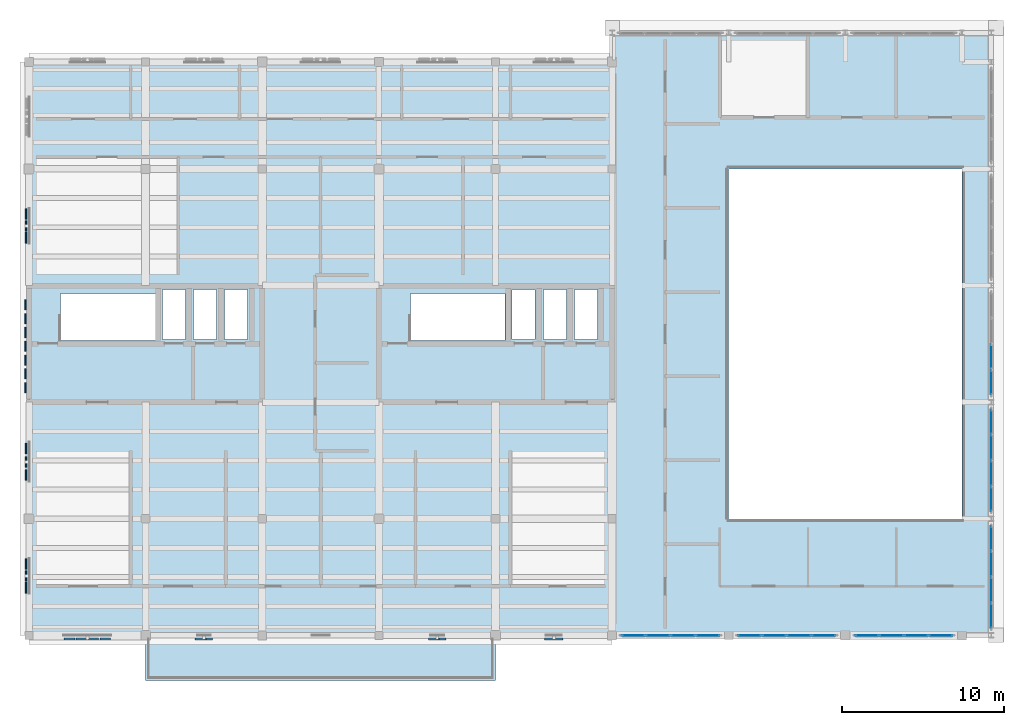
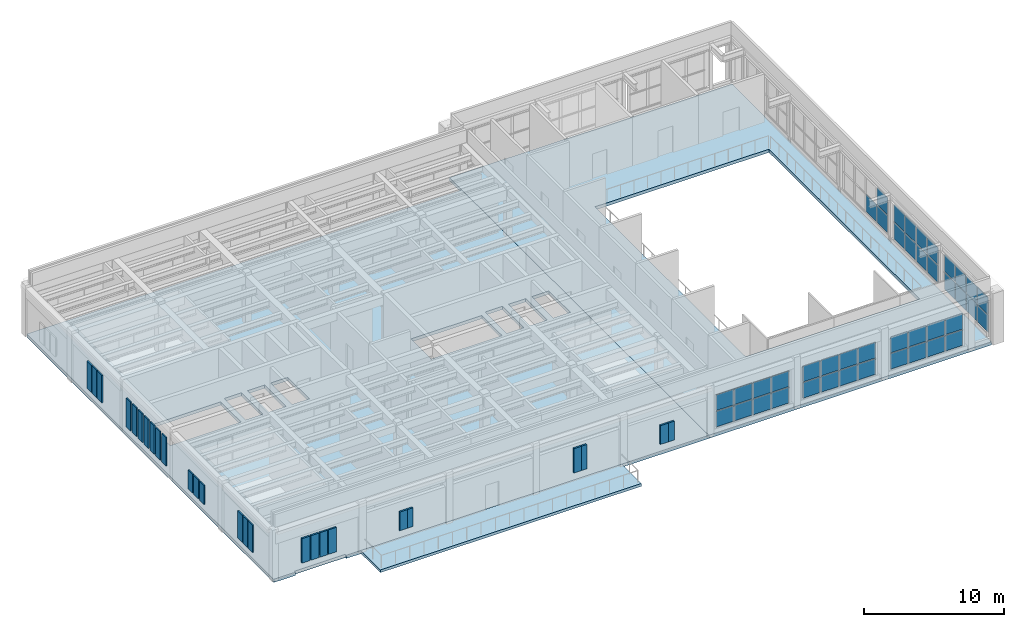
# One storey, part 11 of 18: 69 plates, 3 slabs, 6 elements without a shape of their own.
"""IFC4 building model written with IfcOpenShell, lengths in metres."""

import ifcopenshell
import ifcopenshell.guid

model = None  # the IFC model being written
_history = None  # IfcOwnerHistory: only IFC2X3 demands one
_inside = {}  # id of a spatial element -> (the spatial element, [elements in it])
_under = {}  # id of a project, library or spatial element -> (it, [spatial elements below it])
_declared = {}  # id of a project -> (the project, [libraries it declares])
_typed = {}  # id of a type object -> (the type object, [elements of that type])
_made_of = {}  # id of a material, layer set ... -> (it, [elements and type objects made of it])


def new_model(schema):
    """Start an empty IFC model of exactly this schema.

    Asked for "IFC4X3", IfcOpenShell would pick the latest addendum, in which some entities
    have other attributes; the version numbers below select the first issue.
    IFC2X3 requires an IfcOwnerHistory on every rooted entity: one is made here for all.
    """
    global model, _history
    if schema == "IFC4X3":
        model = ifcopenshell.file(schema_version=(4, 3, 0, 0))
    else:
        model = ifcopenshell.file(schema=schema)
    _inside.clear()
    _under.clear()
    _declared.clear()
    _typed.clear()
    _made_of.clear()
    _history = None
    if model.schema == "IFC2X3":
        org = make("IfcOrganization", Name="unknown")
        user = make(
            "IfcPersonAndOrganization",
            ThePerson=make("IfcPerson", FamilyName="unknown"),
            TheOrganization=org,
        )
        app = make(
            "IfcApplication",
            ApplicationDeveloper=org,
            Version="unknown",
            ApplicationFullName="unknown",
            ApplicationIdentifier="unknown",
        )
        _history = make(
            "IfcOwnerHistory",
            OwningUser=user,
            OwningApplication=app,
            ChangeAction="ADDED",
            CreationDate=0,
        )
    return model


def make(cls, **values):
    """One entity of the class cls with the attributes given. An attribute that is None is left unset."""
    return model.create_entity(
        cls, **{name: value for name, value in values.items() if value is not None}
    )


def rooted(cls, **values):
    """An entity with a GlobalId (a new one), such as an element, a storey or a relation."""
    return make(cls, GlobalId=ifcopenshell.guid.new(), OwnerHistory=_history, **values)


def si_unit(unit_type, name, prefix=None):
    """IfcSIUnit, for example si_unit("LENGTHUNIT", "METRE", prefix="MILLI")."""
    return make("IfcSIUnit", UnitType=unit_type, Prefix=prefix, Name=name)


def assignment(units):
    """IfcUnitAssignment: the units of a project."""
    return None if units is None else make("IfcUnitAssignment", Units=units)


def point(xyz):
    """IfcCartesianPoint."""
    return None if xyz is None else make("IfcCartesianPoint", Coordinates=xyz)


def direction(xyz):
    """IfcDirection."""
    return None if xyz is None else make("IfcDirection", DirectionRatios=xyz)


def frame(location, z_axis=None, x_axis=None):
    """IfcAxis2Placement3D, a coordinate frame: its origin and axes. An axis left out is left unset."""
    return make(
        "IfcAxis2Placement3D",
        Location=point(location),
        Axis=direction(z_axis),
        RefDirection=direction(x_axis),
    )


def frame_2d(location, x_axis=None):
    """IfcAxis2Placement2D, a coordinate frame in the plane: its origin and x axis."""
    return make(
        "IfcAxis2Placement2D", Location=point(location), RefDirection=direction(x_axis)
    )


def origin():
    """The frame at (0, 0, 0) with its axes left unset."""
    return frame((0.0, 0.0, 0.0))


def origin_2d():
    """The frame at (0, 0) in the plane with its x axis left unset."""
    return frame_2d((0.0, 0.0))


def place(relative_to, where):
    """IfcLocalPlacement: puts the frame where relative to a parent placement (None: the world)."""
    return make(
        "IfcLocalPlacement", PlacementRelTo=relative_to, RelativePlacement=where
    )


def context(
    kind, dimensions, precision=None, world=None, true_north=None, identifier=None
):
    """IfcGeometricRepresentationContext, for example the 3D "Model" context."""
    return make(
        "IfcGeometricRepresentationContext",
        ContextIdentifier=identifier,
        ContextType=kind,
        CoordinateSpaceDimension=dimensions,
        Precision=precision,
        WorldCoordinateSystem=world,
        TrueNorth=true_north,
    )


def subcontext(parent, identifier, kind, view, scale=None):
    """IfcGeometricRepresentationSubContext, for example "Body" below "Model"."""
    return make(
        "IfcGeometricRepresentationSubContext",
        ContextIdentifier=identifier,
        ContextType=kind,
        ParentContext=parent,
        TargetScale=scale,
        TargetView=view,
    )


def project(units=None, contexts=None):
    """IfcProject with its units and contexts."""
    return rooted(
        "IfcProject",
        Name="project",
        RepresentationContexts=contexts,
        UnitsInContext=assignment(units),
    )


def spatial(cls, under=None, at=None, **own):
    """A site, building, storey or space (cls), placed at a placement, below another one or the project."""
    s = rooted(cls, ObjectPlacement=at, **own)
    if under is not None:
        _under.setdefault(under.id(), (under, []))[1].append(s)
    return s


def polyline(points):
    """IfcPolyline through the points."""
    return make("IfcPolyline", Points=[point(p) for p in points])


def profile(cls, at=None, kind="AREA", **sizes):
    """A parametric profile (cls). Its sizes go by their IFC names, for example OverallWidth=200.0."""
    return make(cls, ProfileType=kind, Position=at, **sizes)


def rectangle(**sizes):
    """IfcRectangleProfileDef."""
    return profile("IfcRectangleProfileDef", **sizes)


def outline(outer, holes=None, kind="AREA"):
    """IfcArbitraryClosedProfileDef: a profile drawn as a closed curve; with holes, ...WithVoids."""
    if holes is None:
        return make("IfcArbitraryClosedProfileDef", ProfileType=kind, OuterCurve=outer)
    return make(
        "IfcArbitraryProfileDefWithVoids",
        ProfileType=kind,
        OuterCurve=outer,
        InnerCurves=holes,
    )


def extrude(swept, where, along, depth):
    """IfcExtrudedAreaSolid: the profile swept, set in the frame where, extruded along a direction by depth."""
    return make(
        "IfcExtrudedAreaSolid",
        SweptArea=swept,
        Position=where,
        ExtrudedDirection=direction(along),
        Depth=depth,
    )


def shape(context_of_items, identifier, shape_type, items):
    """IfcShapeRepresentation: the items that make up one representation, for example the "Body"."""
    return make(
        "IfcShapeRepresentation",
        ContextOfItems=context_of_items,
        RepresentationIdentifier=identifier,
        RepresentationType=shape_type,
        Items=items,
    )


def material(Name=None, Category=None):
    """IfcMaterial."""
    return make("IfcMaterial", Name=Name, Category=Category)


def layer(
    of_material, thickness, ventilated=None, Name=None, Category=None, Priority=None
):
    """IfcMaterialLayer: one layer of a wall or slab, of a material (None: an air gap)."""
    return make(
        "IfcMaterialLayer",
        Material=of_material,
        LayerThickness=thickness,
        IsVentilated=ventilated,
        Name=Name,
        Category=Category,
        Priority=Priority,
    )


def layer_set(layers, Name=None):
    """IfcMaterialLayerSet."""
    return make("IfcMaterialLayerSet", MaterialLayers=layers, LayerSetName=Name)


def made_of(thing, what):
    """Note that an element or type object is made of a material, layer set ...; save() writes the relation."""
    if what is not None:
        _made_of.setdefault(what.id(), (what, []))[1].append(thing)
    return thing


def type_object(cls, material=None, **own):
    """A type object (cls), such as IfcWallType, which elements share."""
    return made_of(rooted(cls, **own), material)


def element(
    cls,
    number,
    at=None,
    inside=None,
    cuts=None,
    type_object=None,
    material=None,
    context=None,
    identifier="Body",
    shape_type=None,
    held_by="IfcProductDefinitionShape",
    body=None,
    shapes=None,
    **own,
):
    """One element of the class cls, such as IfcWall. Its Tag is "e" and its number.

    at: its placement. inside: the storey or other place that contains it. cuts: it is an
    opening in that element (IfcRelVoidsElement). A single representation is given by context,
    identifier, shape_type and body (its items); several are given by shapes. held_by: the class
    of the entity that holds the representations. save() writes the other relations.
    """
    e = rooted(cls, Tag="e%d" % number, ObjectPlacement=at, **own)
    if body is not None:
        shapes = [shape(context, identifier, shape_type, body)]
    if shapes is not None:
        e.Representation = make(held_by, Representations=shapes)
    if inside is not None:
        _inside.setdefault(inside.id(), (inside, []))[1].append(e)
    if cuts is not None:
        rooted(
            "IfcRelVoidsElement", RelatingBuildingElement=cuts, RelatedOpeningElement=e
        )
    if type_object is not None:
        _typed.setdefault(type_object.id(), (type_object, []))[1].append(e)
    return made_of(e, material)


def aggregate(whole, parts):
    """IfcRelAggregates: a whole, such as a stair, and the parts it consists of."""
    return rooted("IfcRelAggregates", RelatingObject=whole, RelatedObjects=parts)


def save(model, path):
    """Write the relations noted so far, then the file.

    IfcRelAggregates (storeys below a building ...), IfcRelContainedInSpatialStructure (elements
    in a storey), IfcRelDefinesByType, IfcRelAssociatesMaterial and IfcRelDeclares: one each for
    every whole, place, type object, material and project.
    """
    for whole, parts in _under.values():
        aggregate(whole, parts)
    for where, things in _inside.values():
        rooted(
            "IfcRelContainedInSpatialStructure",
            RelatedElements=things,
            RelatingStructure=where,
        )
    for kind, things in _typed.values():
        rooted("IfcRelDefinesByType", RelatedObjects=things, RelatingType=kind)
    for what, things in _made_of.values():
        rooted("IfcRelAssociatesMaterial", RelatedObjects=things, RelatingMaterial=what)
    for by, libraries in _declared.values():
        rooted("IfcRelDeclares", RelatingContext=by, RelatedDefinitions=libraries)
    model.write(path)


model = new_model("IFC4")

# Units and contexts
model_context = context("Model", 3, precision=1e-05, world=origin(), true_north=direction((0.0, 1.0)))
body_context = subcontext(model_context, "Body", "Model", "MODEL_VIEW")
ifc_project = project(units=[si_unit("LENGTHUNIT", "METRE"), si_unit("AREAUNIT", "SQUARE_METRE"), si_unit("VOLUMEUNIT", "CUBIC_METRE"), si_unit("PLANEANGLEUNIT", "RADIAN"), si_unit("MASSUNIT", "GRAM", prefix="KILO")], contexts=[model_context])

# Site, building, storey
site_placement = place(None, origin())
site = spatial("IfcSite", under=ifc_project, at=site_placement, CompositionType="ELEMENT")
building_placement = place(site_placement, origin())
building = spatial("IfcBuilding", under=site, at=building_placement, Name="Mithqara Police Headquarters", CompositionType="ELEMENT")
storey_placement = place(building_placement, frame((0.0, 0.0, 30.89990234375)))
storey = spatial("IfcBuildingStorey", under=building, at=storey_placement, Name="L07", CompositionType="ELEMENT", Elevation=30.89990234375)

# Curtain wall, plates
ifc_material_1 = material(Name="Bronze anodised aluminium 6063-T6", Category="aluminium")
curtain_wall_type_1 = type_object("IfcCurtainWallType", Name="CURTAIN WALL 6175X2950", PredefinedType="USERDEFINED", material=ifc_material_1)
curtain_wall_1_placement = place(storey_placement, origin())
curtain_wall_1 = element("IfcCurtainWall", 1, at=curtain_wall_1_placement, inside=storey, type_object=curtain_wall_type_1, Name="L07 Unitised Glazing CW-06 (CW-CUBE-L07-P0-E01-S0-00)", ObjectType="UNITISED GLAZING", PredefinedType="USERDEFINED")
ifc_material_2 = material(Name="Ballistic laminated double low-e glass", Category="glass")
ifc_layer_1 = layer(ifc_material_2, 0.035888671875, Name="Ballistic laminated double low-e glass")
ifc_layer_set_1 = layer_set([ifc_layer_1], Name="Ballistic laminated double low-e glass")
plate_type_1 = type_object("IfcPlateType", Name="CWPANEL GLASS36", PredefinedType="CURTAIN_PANEL", material=ifc_layer_set_1)
plate_1_placement = place(storey_placement, frame((145.91552734375, 78.60009765625, 0.52490234375), z_axis=(0.0, 0.0, 1.0), x_axis=(1.0, 0.0, 0.0)))
plate_1 = element("IfcPlate", 2, at=plate_1_placement, type_object=plate_type_1, Name="CW-06 panel 1.1", PredefinedType="CURTAIN_PANEL", context=body_context, shape_type="SweptSolid", body=[
    extrude(rectangle(XDim=1.43115234375, YDim=0.035888671875, at=origin_2d()), origin(), (0.0, 0.0, 1.0), 1.362548828125),
])
plate_2_placement = place(storey_placement, frame((145.91552734375, 78.60009765625, 1.96240234375), z_axis=(0.0, 0.0, 1.0), x_axis=(1.0, 0.0, 0.0)))
plate_2 = element("IfcPlate", 3, at=plate_2_placement, type_object=plate_type_1, Name="CW-06 panel 1.2", PredefinedType="CURTAIN_PANEL", context=body_context, shape_type="SweptSolid", body=[
    extrude(rectangle(XDim=1.43115234375, YDim=0.035888671875, at=origin_2d()), origin(), (0.0, 0.0, 1.0), 1.362548828125),
])
plate_3_placement = place(storey_placement, frame((147.440673828125, 78.60009765625, 0.52490234375), z_axis=(0.0, 0.0, 1.0), x_axis=(1.0, 0.0, 0.0)))
plate_3 = element("IfcPlate", 4, at=plate_3_placement, type_object=plate_type_1, Name="CW-06 panel 2.1", PredefinedType="CURTAIN_PANEL", context=body_context, shape_type="SweptSolid", body=[
    extrude(rectangle(XDim=1.46875, YDim=0.035888671875, at=origin_2d()), origin(), (0.0, 0.0, 1.0), 1.362548828125),
])
plate_4_placement = place(storey_placement, frame((147.440673828125, 78.60009765625, 1.96240234375), z_axis=(0.0, 0.0, 1.0), x_axis=(1.0, 0.0, 0.0)))
plate_4 = element("IfcPlate", 5, at=plate_4_placement, type_object=plate_type_1, Name="CW-06 panel 2.2", PredefinedType="CURTAIN_PANEL", context=body_context, shape_type="SweptSolid", body=[
    extrude(rectangle(XDim=1.46875, YDim=0.035888671875, at=origin_2d()), origin(), (0.0, 0.0, 1.0), 1.362548828125),
])
plate_5_placement = place(storey_placement, frame((148.984375, 78.60009765625, 0.52490234375), z_axis=(0.0, 0.0, 1.0), x_axis=(1.0, 0.0, 0.0)))
plate_5 = element("IfcPlate", 6, at=plate_5_placement, type_object=plate_type_1, Name="CW-06 panel 3.1", PredefinedType="CURTAIN_PANEL", context=body_context, shape_type="SweptSolid", body=[
    extrude(rectangle(XDim=1.46875, YDim=0.035888671875, at=origin_2d()), origin(), (0.0, 0.0, 1.0), 1.362548828125),
])
plate_6_placement = place(storey_placement, frame((148.984375, 78.60009765625, 1.96240234375), z_axis=(0.0, 0.0, 1.0), x_axis=(1.0, 0.0, 0.0)))
plate_6 = element("IfcPlate", 7, at=plate_6_placement, type_object=plate_type_1, Name="CW-06 panel 3.2", PredefinedType="CURTAIN_PANEL", context=body_context, shape_type="SweptSolid", body=[
    extrude(rectangle(XDim=1.46875, YDim=0.035888671875, at=origin_2d()), origin(), (0.0, 0.0, 1.0), 1.362548828125),
])
plate_7_placement = place(storey_placement, frame((150.50927734375, 78.60009765625, 0.52490234375), z_axis=(0.0, 0.0, 1.0), x_axis=(1.0, 0.0, 0.0)))
plate_7 = element("IfcPlate", 8, at=plate_7_placement, type_object=plate_type_1, Name="CW-06 panel 4.1", PredefinedType="CURTAIN_PANEL", context=body_context, shape_type="SweptSolid", body=[
    extrude(rectangle(XDim=1.43115234375, YDim=0.035888671875, at=origin_2d()), origin(), (0.0, 0.0, 1.0), 1.362548828125),
])
plate_8_placement = place(storey_placement, frame((150.50927734375, 78.60009765625, 1.96240234375), z_axis=(0.0, 0.0, 1.0), x_axis=(1.0, 0.0, 0.0)))
plate_8 = element("IfcPlate", 9, at=plate_8_placement, type_object=plate_type_1, Name="CW-06 panel 4.2", PredefinedType="CURTAIN_PANEL", context=body_context, shape_type="SweptSolid", body=[
    extrude(rectangle(XDim=1.43115234375, YDim=0.035888671875, at=origin_2d()), origin(), (0.0, 0.0, 1.0), 1.362548828125),
])
aggregate(curtain_wall_1, [plate_1, plate_2, plate_3, plate_4, plate_5, plate_6, plate_7, plate_8])

curtain_wall_type_2 = type_object("IfcCurtainWallType", Name="CURTAIN WALL 6150X2950", PredefinedType="USERDEFINED", material=ifc_material_1)
curtain_wall_2_placement = place(storey_placement, origin())
curtain_wall_2 = element("IfcCurtainWall", 10, at=curtain_wall_2_placement, inside=storey, type_object=curtain_wall_type_2, Name="L07 Unitised Glazing CW-07 (CW-CUBE-L07-P0-E01-S0-01)", ObjectType="UNITISED GLAZING", PredefinedType="USERDEFINED")
plate_9_placement = place(storey_placement, frame((153.08740234375, 78.60009765625, 0.52490234375), z_axis=(0.0, 0.0, 1.0), x_axis=(1.0, 0.0, 0.0)))
plate_9 = element("IfcPlate", 11, at=plate_9_placement, type_object=plate_type_1, Name="CW-07 panel 1.1", PredefinedType="CURTAIN_PANEL", context=body_context, shape_type="SweptSolid", body=[
    extrude(rectangle(XDim=1.425048828125, YDim=0.035888671875, at=origin_2d()), origin(), (0.0, 0.0, 1.0), 1.362548828125),
])
plate_10_placement = place(storey_placement, frame((153.08740234375, 78.60009765625, 1.96240234375), z_axis=(0.0, 0.0, 1.0), x_axis=(1.0, 0.0, 0.0)))
plate_10 = element("IfcPlate", 12, at=plate_10_placement, type_object=plate_type_1, Name="CW-07 panel 1.2", PredefinedType="CURTAIN_PANEL", context=body_context, shape_type="SweptSolid", body=[
    extrude(rectangle(XDim=1.425048828125, YDim=0.035888671875, at=origin_2d()), origin(), (0.0, 0.0, 1.0), 1.362548828125),
])
plate_11_placement = place(storey_placement, frame((154.606201171875, 78.60009765625, 0.52490234375), z_axis=(0.0, 0.0, 1.0), x_axis=(1.0, 0.0, 0.0)))
plate_11 = element("IfcPlate", 13, at=plate_11_placement, type_object=plate_type_1, Name="CW-07 panel 2.1", PredefinedType="CURTAIN_PANEL", context=body_context, shape_type="SweptSolid", body=[
    extrude(rectangle(XDim=1.46240234375, YDim=0.035888671875, at=origin_2d()), origin(), (0.0, 0.0, 1.0), 1.362548828125),
])
plate_12_placement = place(storey_placement, frame((154.606201171875, 78.60009765625, 1.96240234375), z_axis=(0.0, 0.0, 1.0), x_axis=(1.0, 0.0, 0.0)))
plate_12 = element("IfcPlate", 14, at=plate_12_placement, type_object=plate_type_1, Name="CW-07 panel 2.2", PredefinedType="CURTAIN_PANEL", context=body_context, shape_type="SweptSolid", body=[
    extrude(rectangle(XDim=1.46240234375, YDim=0.035888671875, at=origin_2d()), origin(), (0.0, 0.0, 1.0), 1.362548828125),
])
plate_13_placement = place(storey_placement, frame((156.143798828125, 78.60009765625, 0.52490234375), z_axis=(0.0, 0.0, 1.0), x_axis=(1.0, 0.0, 0.0)))
plate_13 = element("IfcPlate", 15, at=plate_13_placement, type_object=plate_type_1, Name="CW-07 panel 3.1", PredefinedType="CURTAIN_PANEL", context=body_context, shape_type="SweptSolid", body=[
    extrude(rectangle(XDim=1.46240234375, YDim=0.035888671875, at=origin_2d()), origin(), (0.0, 0.0, 1.0), 1.362548828125),
])
plate_14_placement = place(storey_placement, frame((156.143798828125, 78.60009765625, 1.96240234375), z_axis=(0.0, 0.0, 1.0), x_axis=(1.0, 0.0, 0.0)))
plate_14 = element("IfcPlate", 16, at=plate_14_placement, type_object=plate_type_1, Name="CW-07 panel 3.2", PredefinedType="CURTAIN_PANEL", context=body_context, shape_type="SweptSolid", body=[
    extrude(rectangle(XDim=1.46240234375, YDim=0.035888671875, at=origin_2d()), origin(), (0.0, 0.0, 1.0), 1.362548828125),
])
plate_15_placement = place(storey_placement, frame((157.66259765625, 78.60009765625, 0.52490234375), z_axis=(0.0, 0.0, 1.0), x_axis=(1.0, 0.0, 0.0)))
plate_15 = element("IfcPlate", 17, at=plate_15_placement, type_object=plate_type_1, Name="CW-07 panel 4.1", PredefinedType="CURTAIN_PANEL", context=body_context, shape_type="SweptSolid", body=[
    extrude(rectangle(XDim=1.425048828125, YDim=0.035888671875, at=origin_2d()), origin(), (0.0, 0.0, 1.0), 1.362548828125),
])
plate_16_placement = place(storey_placement, frame((157.66259765625, 78.60009765625, 1.96240234375), z_axis=(0.0, 0.0, 1.0), x_axis=(1.0, 0.0, 0.0)))
plate_16 = element("IfcPlate", 18, at=plate_16_placement, type_object=plate_type_1, Name="CW-07 panel 4.2", PredefinedType="CURTAIN_PANEL", context=body_context, shape_type="SweptSolid", body=[
    extrude(rectangle(XDim=1.425048828125, YDim=0.035888671875, at=origin_2d()), origin(), (0.0, 0.0, 1.0), 1.362548828125),
])
aggregate(curtain_wall_2, [plate_9, plate_10, plate_11, plate_12, plate_13, plate_14, plate_15, plate_16])

curtain_wall_type_3 = type_object("IfcCurtainWallType", Name="CURTAIN WALL 6125X2950", PredefinedType="USERDEFINED", material=ifc_material_1)
curtain_wall_3_placement = place(storey_placement, origin())
curtain_wall_3 = element("IfcCurtainWall", 19, at=curtain_wall_3_placement, inside=storey, type_object=curtain_wall_type_3, Name="L07 Unitised Glazing CW-08 (CW-CUBE-L07-P0-E01-S0-02)", ObjectType="UNITISED GLAZING", PredefinedType="USERDEFINED")
plate_17_placement = place(storey_placement, frame((160.33447265625, 78.60009765625, 0.52490234375), z_axis=(0.0, 0.0, 1.0), x_axis=(1.0, 0.0, 0.0)))
plate_17 = element("IfcPlate", 20, at=plate_17_placement, type_object=plate_type_1, Name="CW-08 panel 1.1", PredefinedType="CURTAIN_PANEL", context=body_context, shape_type="SweptSolid", body=[
    extrude(rectangle(XDim=1.418701171875, YDim=0.035888671875, at=origin_2d()), origin(), (0.0, 0.0, 1.0), 1.362548828125),
])
plate_18_placement = place(storey_placement, frame((160.33447265625, 78.60009765625, 1.96240234375), z_axis=(0.0, 0.0, 1.0), x_axis=(1.0, 0.0, 0.0)))
plate_18 = element("IfcPlate", 21, at=plate_18_placement, type_object=plate_type_1, Name="CW-08 panel 1.2", PredefinedType="CURTAIN_PANEL", context=body_context, shape_type="SweptSolid", body=[
    extrude(rectangle(XDim=1.418701171875, YDim=0.035888671875, at=origin_2d()), origin(), (0.0, 0.0, 1.0), 1.362548828125),
])
plate_19_placement = place(storey_placement, frame((161.846923828125, 78.60009765625, 0.52490234375), z_axis=(0.0, 0.0, 1.0), x_axis=(1.0, 0.0, 0.0)))
plate_19 = element("IfcPlate", 22, at=plate_19_placement, type_object=plate_type_1, Name="CW-08 panel 2.1", PredefinedType="CURTAIN_PANEL", context=body_context, shape_type="SweptSolid", body=[
    extrude(rectangle(XDim=1.456298828125, YDim=0.035888671875, at=origin_2d()), origin(), (0.0, 0.0, 1.0), 1.362548828125),
])
plate_20_placement = place(storey_placement, frame((161.846923828125, 78.60009765625, 1.96240234375), z_axis=(0.0, 0.0, 1.0), x_axis=(1.0, 0.0, 0.0)))
plate_20 = element("IfcPlate", 23, at=plate_20_placement, type_object=plate_type_1, Name="CW-08 panel 2.2", PredefinedType="CURTAIN_PANEL", context=body_context, shape_type="SweptSolid", body=[
    extrude(rectangle(XDim=1.456298828125, YDim=0.035888671875, at=origin_2d()), origin(), (0.0, 0.0, 1.0), 1.362548828125),
])
plate_21_placement = place(storey_placement, frame((163.378173828125, 78.60009765625, 0.52490234375), z_axis=(0.0, 0.0, 1.0), x_axis=(1.0, 0.0, 0.0)))
plate_21 = element("IfcPlate", 24, at=plate_21_placement, type_object=plate_type_1, Name="CW-08 panel 3.1", PredefinedType="CURTAIN_PANEL", context=body_context, shape_type="SweptSolid", body=[
    extrude(rectangle(XDim=1.456298828125, YDim=0.035888671875, at=origin_2d()), origin(), (0.0, 0.0, 1.0), 1.362548828125),
])
plate_22_placement = place(storey_placement, frame((163.378173828125, 78.60009765625, 1.96240234375), z_axis=(0.0, 0.0, 1.0), x_axis=(1.0, 0.0, 0.0)))
plate_22 = element("IfcPlate", 25, at=plate_22_placement, type_object=plate_type_1, Name="CW-08 panel 3.2", PredefinedType="CURTAIN_PANEL", context=body_context, shape_type="SweptSolid", body=[
    extrude(rectangle(XDim=1.456298828125, YDim=0.035888671875, at=origin_2d()), origin(), (0.0, 0.0, 1.0), 1.362548828125),
])
plate_23_placement = place(storey_placement, frame((164.890625, 78.60009765625, 0.52490234375), z_axis=(0.0, 0.0, 1.0), x_axis=(1.0, 0.0, 0.0)))
plate_23 = element("IfcPlate", 26, at=plate_23_placement, type_object=plate_type_1, Name="CW-08 panel 4.1", PredefinedType="CURTAIN_PANEL", context=body_context, shape_type="SweptSolid", body=[
    extrude(rectangle(XDim=1.418701171875, YDim=0.035888671875, at=origin_2d()), origin(), (0.0, 0.0, 1.0), 1.362548828125),
])
plate_24_placement = place(storey_placement, frame((164.890625, 78.60009765625, 1.96240234375), z_axis=(0.0, 0.0, 1.0), x_axis=(1.0, 0.0, 0.0)))
plate_24 = element("IfcPlate", 27, at=plate_24_placement, type_object=plate_type_1, Name="CW-08 panel 4.2", PredefinedType="CURTAIN_PANEL", context=body_context, shape_type="SweptSolid", body=[
    extrude(rectangle(XDim=1.418701171875, YDim=0.035888671875, at=origin_2d()), origin(), (0.0, 0.0, 1.0), 1.362548828125),
])
aggregate(curtain_wall_3, [plate_17, plate_18, plate_19, plate_20, plate_21, plate_22, plate_23, plate_24])

curtain_wall_type_4 = type_object("IfcCurtainWallType", Name="CURTAIN WALL 6400X3200", PredefinedType="USERDEFINED", material=ifc_material_1)
curtain_wall_4_placement = place(storey_placement, origin())
curtain_wall_4 = element("IfcCurtainWall", 28, at=curtain_wall_4_placement, inside=storey, type_object=curtain_wall_type_4, Name="L07 Unitised Glazing CW-09 (CW-CUBE-L07-P0-E02-S0-00)", ObjectType="UNITISED GLAZING", PredefinedType="USERDEFINED")
plate_25_placement = place(storey_placement, frame((168.0, 79.81884765625, 0.52490234375), z_axis=(0.0, 0.0, 1.0), x_axis=(0.0, 1.0, 0.0)))
plate_25 = element("IfcPlate", 29, at=plate_25_placement, type_object=plate_type_1, Name="CW-09 panel 1.1", PredefinedType="CURTAIN_PANEL", context=body_context, shape_type="SweptSolid", body=[
    extrude(rectangle(XDim=1.487548828125, YDim=0.035888671875, at=origin_2d()), origin(), (0.0, 0.0, 1.0), 1.487548828125),
])
plate_26_placement = place(storey_placement, frame((168.0, 79.81884765625, 2.08740234375), z_axis=(0.0, 0.0, 1.0), x_axis=(0.0, 1.0, 0.0)))
plate_26 = element("IfcPlate", 30, at=plate_26_placement, type_object=plate_type_1, Name="CW-09 panel 1.2", PredefinedType="CURTAIN_PANEL", context=body_context, shape_type="SweptSolid", body=[
    extrude(rectangle(XDim=1.487548828125, YDim=0.035888671875, at=origin_2d()), origin(), (0.0, 0.0, 1.0), 1.487548828125),
])
plate_27_placement = place(storey_placement, frame((168.0, 81.39990234375, 0.52490234375), z_axis=(0.0, 0.0, 1.0), x_axis=(0.0, 1.0, 0.0)))
plate_27 = element("IfcPlate", 31, at=plate_27_placement, type_object=plate_type_1, Name="CW-09 panel 2.1", PredefinedType="CURTAIN_PANEL", context=body_context, shape_type="SweptSolid", body=[
    extrude(rectangle(XDim=1.52490234375, YDim=0.035888671875, at=origin_2d()), origin(), (0.0, 0.0, 1.0), 1.487548828125),
])
plate_28_placement = place(storey_placement, frame((168.0, 81.39990234375, 2.08740234375), z_axis=(0.0, 0.0, 1.0), x_axis=(0.0, 1.0, 0.0)))
plate_28 = element("IfcPlate", 32, at=plate_28_placement, type_object=plate_type_1, Name="CW-09 panel 2.2", PredefinedType="CURTAIN_PANEL", context=body_context, shape_type="SweptSolid", body=[
    extrude(rectangle(XDim=1.52490234375, YDim=0.035888671875, at=origin_2d()), origin(), (0.0, 0.0, 1.0), 1.487548828125),
])
plate_29_placement = place(storey_placement, frame((168.0, 83.0, 0.52490234375), z_axis=(0.0, 0.0, 1.0), x_axis=(0.0, 1.0, 0.0)))
plate_29 = element("IfcPlate", 33, at=plate_29_placement, type_object=plate_type_1, Name="CW-09 panel 3.1", PredefinedType="CURTAIN_PANEL", context=body_context, shape_type="SweptSolid", body=[
    extrude(rectangle(XDim=1.52490234375, YDim=0.035888671875, at=origin_2d()), origin(), (0.0, 0.0, 1.0), 1.487548828125),
])
plate_30_placement = place(storey_placement, frame((168.0, 83.0, 2.08740234375), z_axis=(0.0, 0.0, 1.0), x_axis=(0.0, 1.0, 0.0)))
plate_30 = element("IfcPlate", 34, at=plate_30_placement, type_object=plate_type_1, Name="CW-09 panel 3.2", PredefinedType="CURTAIN_PANEL", context=body_context, shape_type="SweptSolid", body=[
    extrude(rectangle(XDim=1.52490234375, YDim=0.035888671875, at=origin_2d()), origin(), (0.0, 0.0, 1.0), 1.487548828125),
])
plate_31_placement = place(storey_placement, frame((168.0, 84.581298828125, 0.52490234375), z_axis=(0.0, 0.0, 1.0), x_axis=(0.0, 1.0, 0.0)))
plate_31 = element("IfcPlate", 35, at=plate_31_placement, type_object=plate_type_1, Name="CW-09 panel 4.1", PredefinedType="CURTAIN_PANEL", context=body_context, shape_type="SweptSolid", body=[
    extrude(rectangle(XDim=1.487548828125, YDim=0.035888671875, at=origin_2d()), origin(), (0.0, 0.0, 1.0), 1.487548828125),
])
plate_32_placement = place(storey_placement, frame((168.0, 84.581298828125, 2.08740234375), z_axis=(0.0, 0.0, 1.0), x_axis=(0.0, 1.0, 0.0)))
plate_32 = element("IfcPlate", 36, at=plate_32_placement, type_object=plate_type_1, Name="CW-09 panel 4.2", PredefinedType="CURTAIN_PANEL", context=body_context, shape_type="SweptSolid", body=[
    extrude(rectangle(XDim=1.487548828125, YDim=0.035888671875, at=origin_2d()), origin(), (0.0, 0.0, 1.0), 1.487548828125),
])
aggregate(curtain_wall_4, [plate_25, plate_26, plate_27, plate_28, plate_29, plate_30, plate_31, plate_32])

curtain_wall_5_placement = place(storey_placement, origin())
curtain_wall_5 = element("IfcCurtainWall", 37, at=curtain_wall_5_placement, inside=storey, type_object=curtain_wall_type_4, Name="L07 Unitised Glazing CW-09 (CW-CUBE-L07-P0-E02-S0-01)", ObjectType="UNITISED GLAZING", PredefinedType="USERDEFINED")
plate_33_placement = place(storey_placement, frame((168.0, 87.018798828125, 0.52490234375), z_axis=(0.0, 0.0, 1.0), x_axis=(0.0, 1.0, 0.0)))
plate_33 = element("IfcPlate", 38, at=plate_33_placement, type_object=plate_type_1, Name="CW-09 panel 1.1", PredefinedType="CURTAIN_PANEL", context=body_context, shape_type="SweptSolid", body=[
    extrude(rectangle(XDim=1.487548828125, YDim=0.035888671875, at=origin_2d()), origin(), (0.0, 0.0, 1.0), 1.487548828125),
])
plate_34_placement = place(storey_placement, frame((168.0, 87.018798828125, 2.08740234375), z_axis=(0.0, 0.0, 1.0), x_axis=(0.0, 1.0, 0.0)))
plate_34 = element("IfcPlate", 39, at=plate_34_placement, type_object=plate_type_1, Name="CW-09 panel 1.2", PredefinedType="CURTAIN_PANEL", context=body_context, shape_type="SweptSolid", body=[
    extrude(rectangle(XDim=1.487548828125, YDim=0.035888671875, at=origin_2d()), origin(), (0.0, 0.0, 1.0), 1.487548828125),
])
plate_35_placement = place(storey_placement, frame((168.0, 88.60009765625, 0.52490234375), z_axis=(0.0, 0.0, 1.0), x_axis=(0.0, 1.0, 0.0)))
plate_35 = element("IfcPlate", 40, at=plate_35_placement, type_object=plate_type_1, Name="CW-09 panel 2.1", PredefinedType="CURTAIN_PANEL", context=body_context, shape_type="SweptSolid", body=[
    extrude(rectangle(XDim=1.52490234375, YDim=0.035888671875, at=origin_2d()), origin(), (0.0, 0.0, 1.0), 1.487548828125),
])
plate_36_placement = place(storey_placement, frame((168.0, 88.60009765625, 2.08740234375), z_axis=(0.0, 0.0, 1.0), x_axis=(0.0, 1.0, 0.0)))
plate_36 = element("IfcPlate", 41, at=plate_36_placement, type_object=plate_type_1, Name="CW-09 panel 2.2", PredefinedType="CURTAIN_PANEL", context=body_context, shape_type="SweptSolid", body=[
    extrude(rectangle(XDim=1.52490234375, YDim=0.035888671875, at=origin_2d()), origin(), (0.0, 0.0, 1.0), 1.487548828125),
])
plate_37_placement = place(storey_placement, frame((168.0, 90.199951171875, 0.52490234375), z_axis=(0.0, 0.0, 1.0), x_axis=(0.0, 1.0, 0.0)))
plate_37 = element("IfcPlate", 42, at=plate_37_placement, type_object=plate_type_1, Name="CW-09 panel 3.1", PredefinedType="CURTAIN_PANEL", context=body_context, shape_type="SweptSolid", body=[
    extrude(rectangle(XDim=1.52490234375, YDim=0.035888671875, at=origin_2d()), origin(), (0.0, 0.0, 1.0), 1.487548828125),
])
plate_38_placement = place(storey_placement, frame((168.0, 90.199951171875, 2.08740234375), z_axis=(0.0, 0.0, 1.0), x_axis=(0.0, 1.0, 0.0)))
plate_38 = element("IfcPlate", 43, at=plate_38_placement, type_object=plate_type_1, Name="CW-09 panel 3.2", PredefinedType="CURTAIN_PANEL", context=body_context, shape_type="SweptSolid", body=[
    extrude(rectangle(XDim=1.52490234375, YDim=0.035888671875, at=origin_2d()), origin(), (0.0, 0.0, 1.0), 1.487548828125),
])
plate_39_placement = place(storey_placement, frame((168.0, 91.78125, 0.52490234375), z_axis=(0.0, 0.0, 1.0), x_axis=(0.0, 1.0, 0.0)))
plate_39 = element("IfcPlate", 44, at=plate_39_placement, type_object=plate_type_1, Name="CW-09 panel 4.1", PredefinedType="CURTAIN_PANEL", context=body_context, shape_type="SweptSolid", body=[
    extrude(rectangle(XDim=1.487548828125, YDim=0.035888671875, at=origin_2d()), origin(), (0.0, 0.0, 1.0), 1.487548828125),
])
plate_40_placement = place(storey_placement, frame((168.0, 91.78125, 2.08740234375), z_axis=(0.0, 0.0, 1.0), x_axis=(0.0, 1.0, 0.0)))
plate_40 = element("IfcPlate", 45, at=plate_40_placement, type_object=plate_type_1, Name="CW-09 panel 4.2", PredefinedType="CURTAIN_PANEL", context=body_context, shape_type="SweptSolid", body=[
    extrude(rectangle(XDim=1.487548828125, YDim=0.035888671875, at=origin_2d()), origin(), (0.0, 0.0, 1.0), 1.487548828125),
])
aggregate(curtain_wall_5, [plate_33, plate_34, plate_35, plate_36, plate_37, plate_38, plate_39, plate_40])

curtain_wall_6_placement = place(storey_placement, origin())
curtain_wall_6 = element("IfcCurtainWall", 46, at=curtain_wall_6_placement, inside=storey, type_object=curtain_wall_type_4, Name="L07 Unitised Glazing CW-09 (CW-CUBE-L07-P0-E02-S0-02)", ObjectType="UNITISED GLAZING", PredefinedType="USERDEFINED")
plate_41_placement = place(storey_placement, frame((168.0, 94.21875, 0.52490234375), z_axis=(0.0, 0.0, 1.0), x_axis=(0.0, 1.0, 0.0)))
plate_41 = element("IfcPlate", 47, at=plate_41_placement, type_object=plate_type_1, Name="CW-09 panel 1.1", PredefinedType="CURTAIN_PANEL", context=body_context, shape_type="SweptSolid", body=[
    extrude(rectangle(XDim=1.487548828125, YDim=0.035888671875, at=origin_2d()), origin(), (0.0, 0.0, 1.0), 1.487548828125),
])
plate_42_placement = place(storey_placement, frame((168.0, 94.21875, 2.08740234375), z_axis=(0.0, 0.0, 1.0), x_axis=(0.0, 1.0, 0.0)))
plate_42 = element("IfcPlate", 48, at=plate_42_placement, type_object=plate_type_1, Name="CW-09 panel 1.2", PredefinedType="CURTAIN_PANEL", context=body_context, shape_type="SweptSolid", body=[
    extrude(rectangle(XDim=1.487548828125, YDim=0.035888671875, at=origin_2d()), origin(), (0.0, 0.0, 1.0), 1.487548828125),
])
plate_43_placement = place(storey_placement, frame((168.0, 95.800048828125, 0.52490234375), z_axis=(0.0, 0.0, 1.0), x_axis=(0.0, 1.0, 0.0)))
plate_43 = element("IfcPlate", 49, at=plate_43_placement, type_object=plate_type_1, Name="CW-09 panel 2.1", PredefinedType="CURTAIN_PANEL", context=body_context, shape_type="SweptSolid", body=[
    extrude(rectangle(XDim=1.52490234375, YDim=0.035888671875, at=origin_2d()), origin(), (0.0, 0.0, 1.0), 1.487548828125),
])
aggregate(curtain_wall_6, [plate_41, plate_42, plate_43])

# Slabs
ifc_material_3 = material(Name="Concrete C40/50", Category="concrete")
ifc_layer_2 = layer(ifc_material_3, 0.280029296875, Name="Concrete C40/50")
ifc_layer_set_2 = layer_set([ifc_layer_2], Name="Concrete C40/50")
slab_type_1 = type_object("IfcSlabType", Name="FLOOR SLAB 280", PredefinedType="FLOOR", material=ifc_layer_set_2)
slab_1_placement = place(storey_placement, frame((0.0, 0.0, -0.27978515625)))
element("IfcSlab", 50, at=slab_1_placement, inside=storey, type_object=slab_type_1, Name="L07 Structural Slab L07-V1A", PredefinedType="FLOOR", context=body_context, shape_type="SweptSolid", body=[
    extrude(outline(polyline([(108.60009765625, 114.0), (144.60009765625, 114.0), (144.60009765625, 78.60009765625), (114.60009765625, 78.60009765625), (114.60009765625, 78.739990234375), (110.39990234375, 78.739990234375), (110.39990234375, 78.60009765625), (108.60009765625, 78.60009765625), (108.60009765625, 114.0)]), holes=[polyline([(110.550048828125, 96.800048828125), (116.39990234375, 96.800048828125), (116.39990234375, 99.699951171875), (110.550048828125, 99.699951171875), (110.550048828125, 96.800048828125)]), polyline([(132.14990234375, 96.800048828125), (138.0, 96.800048828125), (138.0, 99.699951171875), (132.14990234375, 99.699951171875), (132.14990234375, 96.800048828125)]), polyline([(118.25, 96.8701171875), (118.25, 99.949951171875), (116.830078125, 99.949951171875), (116.830078125, 96.8701171875), (118.25, 96.8701171875)]), polyline([(120.169921875, 96.8701171875), (120.169921875, 99.949951171875), (118.75, 99.949951171875), (118.75, 96.8701171875), (120.169921875, 96.8701171875)]), polyline([(122.090087890625, 96.8701171875), (122.090087890625, 99.949951171875), (120.669921875, 99.949951171875), (120.669921875, 96.8701171875), (122.090087890625, 96.8701171875)]), polyline([(139.85009765625, 96.8701171875), (139.85009765625, 99.949951171875), (138.429931640625, 99.949951171875), (138.429931640625, 96.8701171875), (139.85009765625, 96.8701171875)]), polyline([(141.77001953125, 96.8701171875), (141.77001953125, 99.949951171875), (140.35009765625, 99.949951171875), (140.35009765625, 96.8701171875), (141.77001953125, 96.8701171875)]), polyline([(143.68994140625, 96.8701171875), (143.68994140625, 99.949951171875), (142.27001953125, 99.949951171875), (142.27001953125, 96.8701171875), (143.68994140625, 96.8701171875)])]), origin(), (0.0, 0.0, 1.0), 0.27978515625),
])
slab_2_placement = place(storey_placement, frame((0.0, 0.0, -0.27978515625)))
element("IfcSlab", 51, at=slab_2_placement, inside=storey, type_object=slab_type_1, Name="L07 Structural Slab L07-CUBE", PredefinedType="FLOOR", context=body_context, shape_type="SweptSolid", body=[
    extrude(outline(polyline([(144.60009765625, 115.800048828125), (168.0, 115.800048828125), (168.0, 78.60009765625), (144.60009765625, 78.60009765625), (144.60009765625, 114.0), (144.60009765625, 115.800048828125)]), holes=[polyline([(166.199951171875, 85.800048828125), (166.199951171875, 107.39990234375), (151.800048828125, 107.39990234375), (151.800048828125, 85.800048828125), (166.199951171875, 85.800048828125)])]), origin(), (0.0, 0.0, 1.0), 0.27978515625),
])

# Plates
ifc_material_4 = material(Name="Limestone ashlar masonry, 45 MPa", Category="masonry")
ifc_layer_3 = layer(ifc_material_4, 0.10009765625, Name="Limestone ashlar masonry, 45 MPa")
ifc_layer_set_3 = layer_set([ifc_layer_3], Name="Limestone ashlar masonry, 45 MPa")
plate_type_2 = type_object("IfcPlateType", Name="STONE SCREEN 100", PredefinedType="USERDEFINED", material=ifc_layer_set_3)
for number, where, z_axis, x_axis, name in (
    (52, (108.39990234375, 104.618408203125, 0.830078125), (0.0, 0.0, 1.0), (0.0, 1.0, 0.0), "L07 Pierced Limestone Vertical-Slit Panel 311"),
    (53, (108.39990234375, 103.885009765625, 0.830078125), (0.0, 0.0, 1.0), (0.0, 1.0, 0.0), "L07 Pierced Limestone Vertical-Slit Panel 312"),
    (54, (108.39990234375, 103.151611328125, 0.830078125), (0.0, 0.0, 1.0), (0.0, 1.0, 0.0), "L07 Pierced Limestone Vertical-Slit Panel 313"),
    (55, (108.39990234375, 83.00830078125, 0.830078125), (0.0, 0.0, 1.0), (0.0, 1.0, 0.0), "L07 Pierced Limestone Vertical-Slit Panel 317"),
    (56, (108.39990234375, 82.27490234375, 0.830078125), (0.0, 0.0, 1.0), (0.0, 1.0, 0.0), "L07 Pierced Limestone Vertical-Slit Panel 318"),
    (57, (108.39990234375, 81.541748046875, 0.830078125), (0.0, 0.0, 1.0), (0.0, 1.0, 0.0), "L07 Pierced Limestone Vertical-Slit Panel 319"),
):
    element("IfcPlate", number, at=place(storey_placement, frame(where, z_axis=z_axis, x_axis=x_axis)), inside=storey, type_object=plate_type_2, Name=name, ObjectType="STONE SCREEN", PredefinedType="USERDEFINED", context=body_context, shape_type="SweptSolid", body=[
        extrude(rectangle(XDim=0.656005859375, YDim=0.10009765625, at=origin_2d()), origin(), (0.0, 0.0, 1.0), 2.389892578125),
    ])
for number, where, z_axis, x_axis, name in (
    (58, (108.39990234375, 90.131591796875, 0.830078125), (0.0, 0.0, 1.0), (0.0, 1.0, 0.0), "L07 Pierced Limestone Vertical-Slit Panel 320"),
    (59, (108.39990234375, 89.31494140625, 0.830078125), (0.0, 0.0, 1.0), (0.0, 1.0, 0.0), "L07 Pierced Limestone Vertical-Slit Panel 321"),
    (60, (108.39990234375, 88.498291015625, 0.830078125), (0.0, 0.0, 1.0), (0.0, 1.0, 0.0), "L07 Pierced Limestone Vertical-Slit Panel 322"),
):
    element("IfcPlate", number, at=place(storey_placement, frame(where, z_axis=z_axis, x_axis=x_axis)), inside=storey, type_object=plate_type_2, Name=name, ObjectType="STONE SCREEN", PredefinedType="USERDEFINED", context=body_context, shape_type="SweptSolid", body=[
        extrude(rectangle(XDim=0.656005859375, YDim=0.10009765625, at=origin_2d()), origin(), (0.0, 0.0, 1.0), 1.639892578125),
    ])
for number, where, z_axis, x_axis, name in (
    (61, (108.385009765625, 93.89990234375, 0.900146484375), (0.0, 0.0, 1.0), (0.0, 1.0, 0.0), "L07 Core C1 Pierced Vertical-Slit Screen 1"),
    (62, (108.385009765625, 94.75, 0.900146484375), (0.0, 0.0, 1.0), (0.0, 1.0, 0.0), "L07 Core C1 Pierced Vertical-Slit Screen 2"),
    (63, (108.385009765625, 95.60009765625, 0.900146484375), (0.0, 0.0, 1.0), (0.0, 1.0, 0.0), "L07 Core C1 Pierced Vertical-Slit Screen 3"),
    (64, (108.385009765625, 96.449951171875, 0.900146484375), (0.0, 0.0, 1.0), (0.0, 1.0, 0.0), "L07 Core C1 Pierced Vertical-Slit Screen 4"),
    (65, (108.385009765625, 97.300048828125, 0.900146484375), (0.0, 0.0, 1.0), (0.0, 1.0, 0.0), "L07 Core C1 Pierced Vertical-Slit Screen 5"),
    (66, (108.385009765625, 98.14990234375, 0.900146484375), (0.0, 0.0, 1.0), (0.0, 1.0, 0.0), "L07 Core C1 Pierced Vertical-Slit Screen 6"),
    (67, (108.385009765625, 99.0, 0.900146484375), (0.0, 0.0, 1.0), (0.0, 1.0, 0.0), "L07 Core C1 Pierced Vertical-Slit Screen 7"),
):
    element("IfcPlate", number, at=place(storey_placement, frame(where, z_axis=z_axis, x_axis=x_axis)), inside=storey, type_object=plate_type_2, Name=name, ObjectType="STONE SCREEN", PredefinedType="USERDEFINED", context=body_context, shape_type="SweptSolid", body=[
        extrude(rectangle(XDim=0.6201171875, YDim=0.10009765625, at=origin_2d()), origin(), (0.0, 0.0, 1.0), 2.5),
    ])
ifc_layer_4 = layer(ifc_material_4, 0.139892578125, Name="Limestone ashlar masonry, 45 MPa")
ifc_layer_set_4 = layer_set([ifc_layer_4], Name="Limestone ashlar masonry, 45 MPa")
plate_type_3 = type_object("IfcPlateType", Name="STONE SCREEN 140", PredefinedType="USERDEFINED", material=ifc_layer_set_4)
for number, where, z_axis, x_axis, name in (
    (68, (111.09375, 78.3798828125, 0.830078125), (0.0, 0.0, 1.0), (1.0, 0.0, 0.0), "L07 Pierced Limestone Vertical-Slit Panel 286"),
    (69, (111.831298828125, 78.3798828125, 0.830078125), (0.0, 0.0, 1.0), (1.0, 0.0, 0.0), "L07 Pierced Limestone Vertical-Slit Panel 287"),
    (70, (112.56884765625, 78.3798828125, 0.830078125), (0.0, 0.0, 1.0), (1.0, 0.0, 0.0), "L07 Pierced Limestone Vertical-Slit Panel 288"),
    (71, (113.306396484375, 78.3798828125, 0.830078125), (0.0, 0.0, 1.0), (1.0, 0.0, 0.0), "L07 Pierced Limestone Vertical-Slit Panel 289"),
):
    element("IfcPlate", number, at=place(storey_placement, frame(where, z_axis=z_axis, x_axis=x_axis)), inside=storey, type_object=plate_type_3, Name=name, ObjectType="STONE SCREEN", PredefinedType="USERDEFINED", context=body_context, shape_type="SweptSolid", body=[
        extrude(rectangle(XDim=0.656005859375, YDim=0.139892578125, at=origin_2d()), origin(), (0.0, 0.0, 1.0), 2.139892578125),
    ])
for number, where, z_axis, x_axis, name in (
    (72, (119.1875, 78.3798828125, 0.830078125), (0.0, 0.0, 1.0), (1.0, 0.0, 0.0), "L07 Pierced Limestone Vertical-Slit Panel 290"),
    (73, (119.612548828125, 78.3798828125, 0.830078125), (0.0, 0.0, 1.0), (1.0, 0.0, 0.0), "L07 Pierced Limestone Vertical-Slit Panel 291"),
):
    element("IfcPlate", number, at=place(storey_placement, frame(where, z_axis=z_axis, x_axis=x_axis)), inside=storey, type_object=plate_type_3, Name=name, ObjectType="STONE SCREEN", PredefinedType="USERDEFINED", context=body_context, shape_type="SweptSolid", body=[
        extrude(rectangle(XDim=0.656005859375, YDim=0.139892578125, at=origin_2d()), origin(), (0.0, 0.0, 1.0), 1.639892578125),
    ])
for number, where, z_axis, x_axis, name in (
    (74, (133.58740234375, 78.3798828125, 0.830078125), (0.0, 0.0, 1.0), (1.0, 0.0, 0.0), "L07 Pierced Limestone Vertical-Slit Panel 292"),
    (75, (134.012451171875, 78.3798828125, 0.830078125), (0.0, 0.0, 1.0), (1.0, 0.0, 0.0), "L07 Pierced Limestone Vertical-Slit Panel 293"),
):
    element("IfcPlate", number, at=place(storey_placement, frame(where, z_axis=z_axis, x_axis=x_axis)), inside=storey, type_object=plate_type_3, Name=name, ObjectType="STONE SCREEN", PredefinedType="USERDEFINED", context=body_context, shape_type="SweptSolid", body=[
        extrude(rectangle(XDim=0.656005859375, YDim=0.139892578125, at=origin_2d()), origin(), (0.0, 0.0, 1.0), 2.139892578125),
    ])
for number, where, z_axis, x_axis, name in (
    (76, (140.75, 78.3798828125, 0.830078125), (0.0, 0.0, 1.0), (1.0, 0.0, 0.0), "L07 Pierced Limestone Vertical-Slit Panel 294"),
    (77, (141.25, 78.3798828125, 0.830078125), (0.0, 0.0, 1.0), (1.0, 0.0, 0.0), "L07 Pierced Limestone Vertical-Slit Panel 295"),
):
    element("IfcPlate", number, at=place(storey_placement, frame(where, z_axis=z_axis, x_axis=x_axis)), inside=storey, type_object=plate_type_3, Name=name, ObjectType="STONE SCREEN", PredefinedType="USERDEFINED", context=body_context, shape_type="SweptSolid", body=[
        extrude(rectangle(XDim=0.656005859375, YDim=0.139892578125, at=origin_2d()), origin(), (0.0, 0.0, 1.0), 1.639892578125),
    ])

# Slab
ifc_layer_5 = layer(ifc_material_3, 0.239990234375, Name="Concrete C40/50")
ifc_layer_set_5 = layer_set([ifc_layer_5], Name="Concrete C40/50")
slab_type_2 = type_object("IfcSlabType", Name="TERRACE SLAB 240", PredefinedType="FLOOR", material=ifc_layer_set_5)
slab_3_placement = place(storey_placement, frame((0.0, 0.0, -0.239990234375)))
element("IfcSlab", 78, at=slab_3_placement, inside=storey, type_object=slab_type_2, Name="L07 Walkable Roof Terrace TER-L07-S", PredefinedType="FLOOR", context=body_context, shape_type="SweptSolid", body=[
    extrude(outline(polyline([(137.39990234375, 75.800048828125), (115.800048828125, 75.800048828125), (115.800048828125, 78.60009765625), (137.39990234375, 78.60009765625), (137.39990234375, 75.800048828125)])), origin(), (0.0, 0.0, 1.0), 0.239990234375),
])

save(model, "model.ifc")
